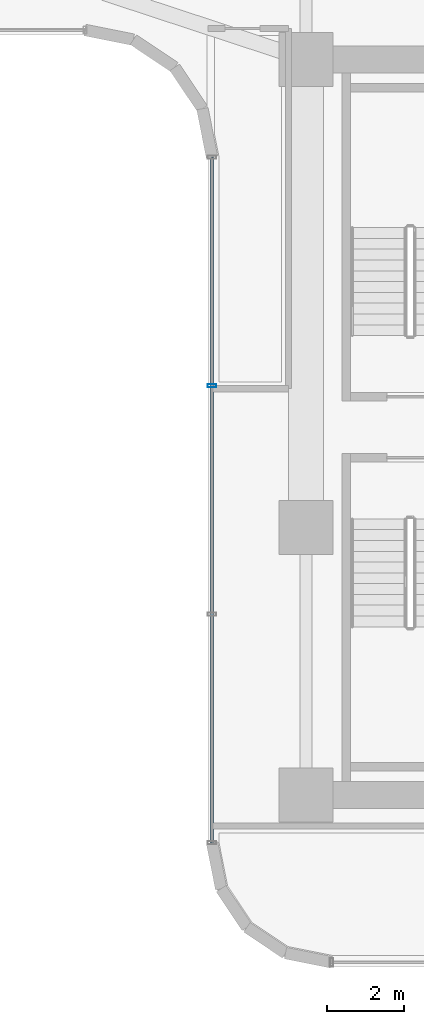
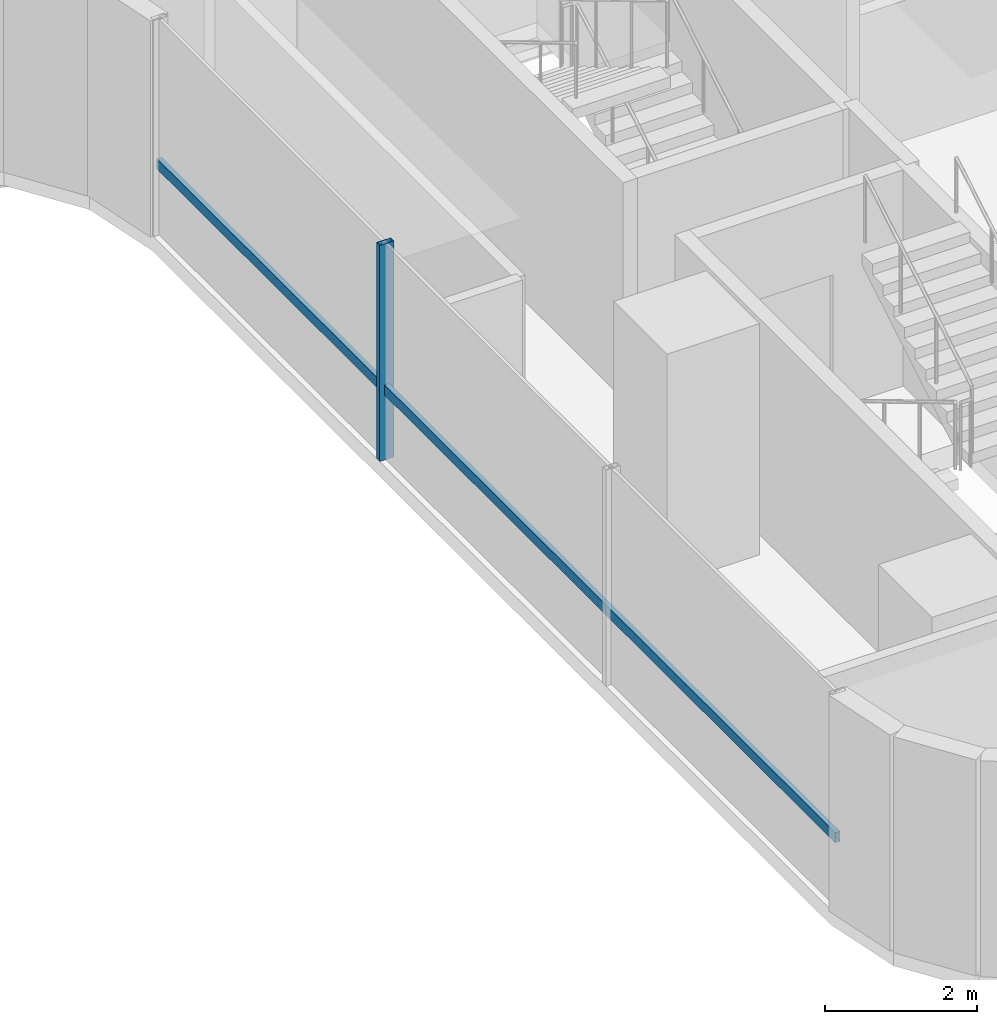
# One storey, part 15 of 40: 2 members, 1 element without a shape of its own.
"""IFC4 building model written with IfcOpenShell, lengths in metres."""

from ifc_helpers import new_model, si_unit, direction, frame, origin, origin_2d, place, context, subcontext, project, spatial, hollow_rectangle, extrude, source, transform, mapped, material, material_profile, profile_set, type_object, element, aggregate, save


model = new_model("IFC4")

# Units and contexts
model_context = context("Model", 3, precision=1e-05, world=origin(), true_north=direction((0.0, 1.0)))
body_context = subcontext(model_context, "Body", "Model", "MODEL_VIEW")
ifc_project = project(units=[si_unit("LENGTHUNIT", "METRE"), si_unit("AREAUNIT", "SQUARE_METRE"), si_unit("VOLUMEUNIT", "CUBIC_METRE"), si_unit("PLANEANGLEUNIT", "RADIAN"), si_unit("MASSUNIT", "GRAM", prefix="KILO")], contexts=[model_context])

# Site, building, storey
site_placement = place(None, origin())
site = spatial("IfcSite", under=ifc_project, at=site_placement, CompositionType="ELEMENT")
building_placement = place(site_placement, origin())
building = spatial("IfcBuilding", under=site, at=building_placement, Name="Valdorenza Pilgrim Sanctuary Tower", CompositionType="ELEMENT")
storey_placement = place(building_placement, frame((0.0, 0.0, 81.5)))
storey = spatial("IfcBuildingStorey", under=building, at=storey_placement, Name="L20", CompositionType="ELEMENT", Elevation=81.5)

# Curtain wall, members
ifc_material_1 = material(Name="Curtain-wall IGU glazing", Category="glass")
curtain_wall_type = type_object("IfcCurtainWallType", Name="CW-SYS-03", PredefinedType="NOTDEFINED", material=ifc_material_1)
curtain_wall_placement = place(storey_placement, origin())
curtain_wall = element("IfcCurtainWall", 1, at=curtain_wall_placement, inside=storey, type_object=curtain_wall_type, Name="L20 Curtain Wall CW-L20-1-31", PredefinedType="NOTDEFINED")
ifc_material_2 = material(Name="Anodised aluminium AW-6060", Category="aluminium")
ifc_material_profile_1 = material_profile(ifc_material_2, hollow_rectangle(XDim=0.0849609375, YDim=0.219970703125, WallThickness=0.0048828125, at=origin_2d()), Name="ALU-M 220x85x5")
ifc_profile_set_1 = profile_set([ifc_material_profile_1], Name="Anodised aluminium AW-6060")
member_type_1 = type_object("IfcMemberType", Name="CW-MUL-03", PredefinedType="MULLION", material=ifc_profile_set_1)
shared_shape_1 = source(origin(), body_context, "Body", "SweptSolid", [
    extrude(hollow_rectangle(XDim=0.0849609375, YDim=0.219970703125, WallThickness=0.0048828125, at=origin_2d()), origin(), (0.0, 0.0, 1.0), 3.4599609375),
])
member_1_placement = place(storey_placement, frame((13.409912109375, 1.077392578125, 0.0), z_axis=(0.0, 0.0, 1.0), x_axis=(0.0, 1.0, 0.0)))
member_1 = element("IfcMember", 2, at=member_1_placement, type_object=member_type_1, Name="CW-L20-1-31 Mullion 3", PredefinedType="MULLION", context=body_context, shape_type="MappedRepresentation", body=[
    mapped(shared_shape_1, transform((0.0, 0.0, 0.0), x_axis=(1.0, 0.0, 0.0), y_axis=(0.0, 1.0, 0.0), z_axis=(0.0, 0.0, 1.0), scale=1.0)),
])
ifc_material_profile_2 = material_profile(ifc_material_2, hollow_rectangle(XDim=0.074951171875, YDim=0.159912109375, WallThickness=0.00390625, at=origin_2d()), Name="ALU-T 160x75x4")
ifc_profile_set_2 = profile_set([ifc_material_profile_2], Name="Anodised aluminium AW-6060")
member_type_2 = type_object("IfcMemberType", Name="CW-TRN-03", PredefinedType="USERDEFINED", material=ifc_profile_set_2)
shared_shape_2 = source(origin(), body_context, "Body", "SweptSolid", [
    extrude(hollow_rectangle(XDim=0.074951171875, YDim=0.159912109375, WallThickness=0.00390625, at=origin_2d()), origin(), (0.0, 0.0, 1.0), 17.800048828125),
])
member_2_placement = place(storey_placement, frame((13.409912109375, -10.789306640625, 1.1201171875), z_axis=(0.0, 1.0, 0.0), x_axis=(-1.0, 0.0, 0.0)))
member_2 = element("IfcMember", 3, at=member_2_placement, type_object=member_type_2, Name="CW-L20-1-31 Transom 1", ObjectType="TRANSOM", PredefinedType="USERDEFINED", context=body_context, shape_type="MappedRepresentation", body=[
    mapped(shared_shape_2, transform((0.0, 0.0, 0.0), x_axis=(1.0, 0.0, 0.0), y_axis=(0.0, 1.0, 0.0), z_axis=(0.0, 0.0, 1.0), scale=1.0)),
])
aggregate(curtain_wall, [member_1, member_2])

save(model, "model.ifc")
